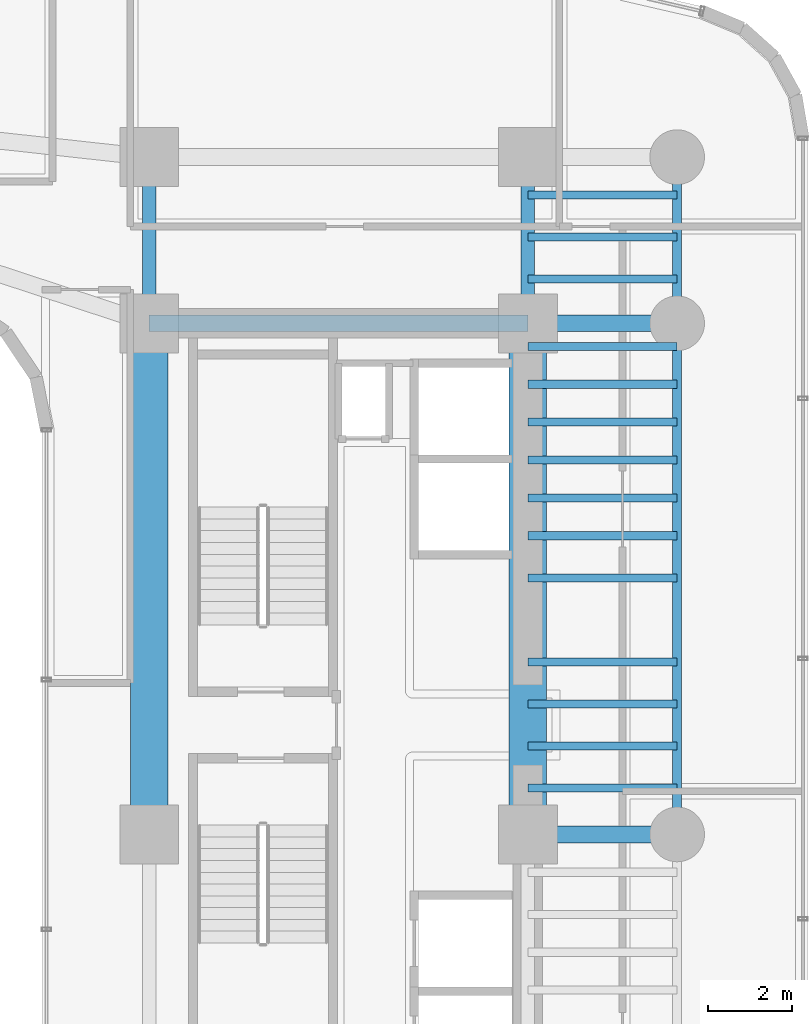
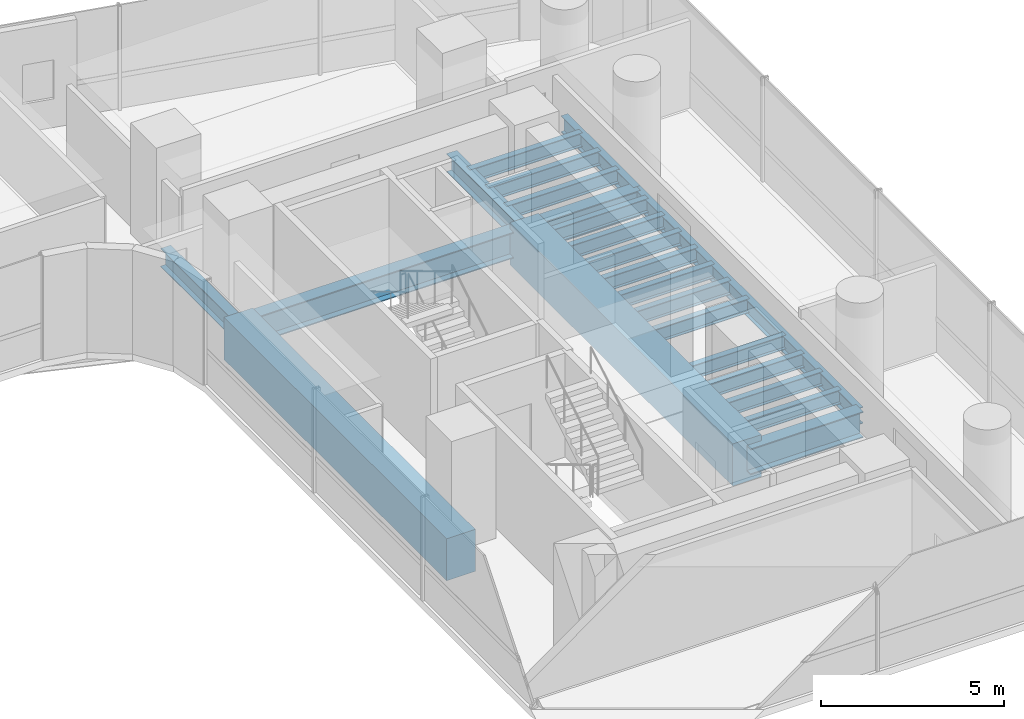
# One storey, part 18 of 40: 23 beams.
"""IFC4 building model written with IfcOpenShell, lengths in metres."""

from ifc_helpers import new_model, si_unit, direction, frame, origin, origin_2d, place, context, subcontext, project, spatial, rectangle, i_section, extrude, source, transform, mapped, material, material_profile, profile_set, type_object, element, save


model = new_model("IFC4")

# Units and contexts
model_context = context("Model", 3, precision=1e-05, world=origin(), true_north=direction((0.0, 1.0)))
body_context = subcontext(model_context, "Body", "Model", "MODEL_VIEW")
ifc_project = project(units=[si_unit("LENGTHUNIT", "METRE"), si_unit("AREAUNIT", "SQUARE_METRE"), si_unit("VOLUMEUNIT", "CUBIC_METRE"), si_unit("PLANEANGLEUNIT", "RADIAN"), si_unit("MASSUNIT", "GRAM", prefix="KILO")], contexts=[model_context])

# Site, building, storey
site_placement = place(None, origin())
site = spatial("IfcSite", under=ifc_project, at=site_placement, CompositionType="ELEMENT")
building_placement = place(site_placement, origin())
building = spatial("IfcBuilding", under=site, at=building_placement, Name="Valdorenza Pilgrim Sanctuary Tower", CompositionType="ELEMENT")
storey_placement = place(building_placement, frame((0.0, 0.0, 48.199951171875)))
storey = spatial("IfcBuildingStorey", under=building, at=storey_placement, Name="L11", CompositionType="ELEMENT", Elevation=48.199951171875)

# Beams
ifc_material_1 = material(Name="Concrete C60/75", Category="concrete")
ifc_material_profile_1 = material_profile(ifc_material_1, rectangle(XDim=0.89990234375, YDim=1.39990234375, at=origin_2d()), Name="RC 1400x900")
ifc_profile_set_1 = profile_set([ifc_material_profile_1], Name="Concrete C60/75")
beam_type_1 = type_object("IfcBeamType", Name="STR-BM-LNT-1400", PredefinedType="LINTEL", material=ifc_profile_set_1)
shared_shape_1 = source(origin(), body_context, "Body", "SweptSolid", [
    extrude(rectangle(XDim=0.89990234375, YDim=1.39990234375, at=origin_2d()), origin(), (0.0, 0.0, 1.0), 12.150146484375),
])
for number, where, z_axis, x_axis, name in (
    (1, (15.85009765625, -2.60009765625, -0.739990234375), (0.0, 1.0, 0.0), (-1.0, 0.0, 0.0), "L11 Core B West Coupling Lintel Girder"),
    (2, (24.85009765625, -2.60009765625, -0.739990234375), (0.0, 1.0, 0.0), (-1.0, 0.0, 0.0), "L11 Core B East Coupling Lintel Girder"),
):
    element("IfcBeam", number, at=place(storey_placement, frame(where, z_axis=z_axis, x_axis=x_axis)), inside=storey, type_object=beam_type_1, Name=name, PredefinedType="LINTEL", context=body_context, shape_type="MappedRepresentation", body=[
        mapped(shared_shape_1, transform((0.0, 0.0, 0.0), x_axis=(1.0, 0.0, 0.0), y_axis=(0.0, 1.0, 0.0), z_axis=(0.0, 0.0, 1.0), scale=1.0)),
    ])
ifc_material_2 = material(Name="Steel ASTM A992 Grade 50", Category="steel")
ifc_material_profile_2 = material_profile(ifc_material_2, i_section(OverallWidth=0.214111328125, OverallDepth=0.549072265625, WebThickness=0.0146484375, FlangeThickness=0.023681640625, at=origin_2d()), Name="W21X93")
ifc_profile_set_2 = profile_set([ifc_material_profile_2], Name="Steel ASTM A992 Grade 50")
beam_type_2 = type_object("IfcBeamType", Name="STR-BM-SPN-W21A", PredefinedType="SPANDREL", material=ifc_profile_set_2)
shared_shape_2 = source(origin(), body_context, "Body", "SweptSolid", [
    extrude(i_section(OverallWidth=0.214111328125, OverallDepth=0.549072265625, WebThickness=0.0146484375, FlangeThickness=0.023681640625, at=origin_2d()), origin(), (0.0, 0.0, 1.0), 12.150146484375),
])
beam_1_placement = place(storey_placement, frame((28.39990234375, -2.60009765625, -0.514404296875), z_axis=(0.0, 1.0, 0.0), x_axis=(-1.0, 0.0, 0.0)))
element("IfcBeam", 3, at=beam_1_placement, inside=storey, type_object=beam_type_2, Name="L11 Spandrel Beam WB-E-M0N1", PredefinedType="SPANDREL", context=body_context, shape_type="MappedRepresentation", body=[
    mapped(shared_shape_2, transform((0.0, 0.0, 0.0), x_axis=(1.0, 0.0, 0.0), y_axis=(0.0, 1.0, 0.0), z_axis=(0.0, 0.0, 1.0), scale=1.0)),
])
ifc_material_profile_3 = material_profile(ifc_material_2, i_section(OverallWidth=0.323974609375, OverallDepth=0.611083984375, WebThickness=0.0126953125, FlangeThickness=0.01904296875, at=origin_2d()), Name="W24X104")
ifc_profile_set_3 = profile_set([ifc_material_profile_3], Name="Steel ASTM A992 Grade 50")
beam_type_3 = type_object("IfcBeamType", Name="STR-BM-GRD-W24B", PredefinedType="BEAM", material=ifc_profile_set_3)
shared_shape_3 = source(origin(), body_context, "Body", "SweptSolid", [
    extrude(i_section(OverallWidth=0.323974609375, OverallDepth=0.611083984375, WebThickness=0.0126953125, FlangeThickness=0.01904296875, at=origin_2d()), origin(), (0.0, 0.0, 1.0), 3.949951171875),
])
for number, where, z_axis, x_axis, name in (
    (4, (15.85009765625, 9.550048828125, -0.54541015625), (0.0, 1.0, 0.0), (-1.0, 0.0, 0.0), "L11 Core Tie Girder CB-W-N1N2"),
    (5, (24.85009765625, 9.550048828125, -0.54541015625), (0.0, 1.0, 0.0), (-1.0, 0.0, 0.0), "L11 Core Tie Girder CB-E-N1N2"),
):
    element("IfcBeam", number, at=place(storey_placement, frame(where, z_axis=z_axis, x_axis=x_axis)), inside=storey, type_object=beam_type_3, Name=name, PredefinedType="BEAM", context=body_context, shape_type="MappedRepresentation", body=[
        mapped(shared_shape_3, transform((0.0, 0.0, 0.0), x_axis=(1.0, 0.0, 0.0), y_axis=(0.0, 1.0, 0.0), z_axis=(0.0, 0.0, 1.0), scale=1.0)),
    ])
shared_shape_4 = source(origin(), body_context, "Body", "SweptSolid", [
    extrude(i_section(OverallWidth=0.214111328125, OverallDepth=0.549072265625, WebThickness=0.0146484375, FlangeThickness=0.023681640625, at=origin_2d()), origin(), (0.0, 0.0, 1.0), 3.949951171875),
])
beam_2_placement = place(storey_placement, frame((28.39990234375, 9.550048828125, -0.514404296875), z_axis=(0.0, 1.0, 0.0), x_axis=(-1.0, 0.0, 0.0)))
element("IfcBeam", 6, at=beam_2_placement, inside=storey, type_object=beam_type_2, Name="L11 Spandrel Beam WB-E-N1N2", PredefinedType="SPANDREL", context=body_context, shape_type="MappedRepresentation", body=[
    mapped(shared_shape_4, transform((0.0, 0.0, 0.0), x_axis=(1.0, 0.0, 0.0), y_axis=(0.0, 1.0, 0.0), z_axis=(0.0, 0.0, 1.0), scale=1.0)),
])
ifc_material_profile_4 = material_profile(ifc_material_2, i_section(OverallWidth=0.193115234375, OverallDepth=0.466064453125, WebThickness=0.011474609375, FlangeThickness=0.01904296875, at=origin_2d()), Name="W18X65")
ifc_profile_set_4 = profile_set([ifc_material_profile_4], Name="Steel ASTM A992 Grade 50")
beam_type_4 = type_object("IfcBeamType", Name="STR-BM-JST-W18A", PredefinedType="JOIST", material=ifc_profile_set_4)
shared_shape_5 = source(origin(), body_context, "Body", "SweptSolid", [
    extrude(i_section(OverallWidth=0.193115234375, OverallDepth=0.466064453125, WebThickness=0.011474609375, FlangeThickness=0.01904296875, at=origin_2d()), origin(), (0.0, 0.0, 1.0), 3.5498046875),
])
for number, where, z_axis, x_axis, name in (
    (7, (24.85009765625, -1.5, -0.472900390625), (1.0, 0.0, 0.0), (0.0, 1.0, 0.0), "L11 Composite Floor Joist JST-WB-8"),
    (8, (24.85009765625, -0.5, -0.472900390625), (1.0, 0.0, 0.0), (0.0, 1.0, 0.0), "L11 Composite Floor Joist JST-WB-9"),
    (9, (24.85009765625, 0.5, -0.472900390625), (1.0, 0.0, 0.0), (0.0, 1.0, 0.0), "L11 Composite Floor Joist JST-WB-10"),
    (10, (24.85009765625, 1.5, -0.472900390625), (1.0, 0.0, 0.0), (0.0, 1.0, 0.0), "L11 Composite Floor Joist JST-WB-11"),
    (11, (24.85009765625, 3.5, -0.472900390625), (1.0, 0.0, 0.0), (0.0, 1.0, 0.0), "L11 Composite Floor Joist JST-WB-12"),
    (12, (24.85009765625, 4.5, -0.472900390625), (1.0, 0.0, 0.0), (0.0, 1.0, 0.0), "L11 Composite Floor Joist JST-WB-13"),
    (13, (24.85009765625, 5.39990234375, -0.472900390625), (1.0, 0.0, 0.0), (0.0, 1.0, 0.0), "L11 Composite Floor Joist JST-WB-14"),
    (14, (24.85009765625, 6.300048828125, -0.472900390625), (1.0, 0.0, 0.0), (0.0, 1.0, 0.0), "L11 Composite Floor Joist JST-WB-15"),
    (15, (24.85009765625, 7.199951171875, -0.472900390625), (1.0, 0.0, 0.0), (0.0, 1.0, 0.0), "L11 Composite Floor Joist JST-WB-16"),
    (16, (24.85009765625, 8.10009765625, -0.472900390625), (1.0, 0.0, 0.0), (0.0, 1.0, 0.0), "L11 Composite Floor Joist JST-WB-17"),
    (17, (24.85009765625, 9.0, -0.472900390625), (1.0, 0.0, 0.0), (0.0, 1.0, 0.0), "L11 Composite Floor Joist JST-WB-18"),
    (18, (24.85009765625, 10.60009765625, -0.472900390625), (1.0, 0.0, 0.0), (0.0, 1.0, 0.0), "L11 Composite Floor Joist JST-WB-19"),
    (19, (24.85009765625, 11.60009765625, -0.472900390625), (1.0, 0.0, 0.0), (0.0, 1.0, 0.0), "L11 Composite Floor Joist JST-WB-20"),
    (20, (24.85009765625, 12.60009765625, -0.472900390625), (1.0, 0.0, 0.0), (0.0, 1.0, 0.0), "L11 Composite Floor Joist JST-WB-21"),
):
    element("IfcBeam", number, at=place(storey_placement, frame(where, z_axis=z_axis, x_axis=x_axis)), inside=storey, type_object=beam_type_4, Name=name, PredefinedType="JOIST", context=body_context, shape_type="MappedRepresentation", body=[
        mapped(shared_shape_5, transform((0.0, 0.0, 0.0), x_axis=(1.0, 0.0, 0.0), y_axis=(0.0, 1.0, 0.0), z_axis=(0.0, 0.0, 1.0), scale=1.0)),
    ])
ifc_material_profile_5 = material_profile(ifc_material_2, i_section(OverallWidth=0.39990234375, OverallDepth=0.862060546875, WebThickness=0.019775390625, FlangeThickness=0.032470703125, at=origin_2d()), Name="W33X221")
ifc_profile_set_5 = profile_set([ifc_material_profile_5], Name="Steel ASTM A992 Grade 50")
beam_type_5 = type_object("IfcBeamType", Name="STR-BM-GRD-W33", PredefinedType="BEAM", material=ifc_profile_set_5)
shared_shape_6 = source(origin(), body_context, "Body", "SweptSolid", [
    extrude(i_section(OverallWidth=0.39990234375, OverallDepth=0.862060546875, WebThickness=0.019775390625, FlangeThickness=0.032470703125, at=origin_2d()), origin(), (0.0, 0.0, 1.0), 9.0),
])
beam_3_placement = place(storey_placement, frame((15.85009765625, 9.550048828125, -0.6708984375), z_axis=(1.0, 0.0, 0.0), x_axis=(0.0, 1.0, 0.0)))
element("IfcBeam", 21, at=beam_3_placement, inside=storey, type_object=beam_type_5, Name="L11 Floor Girder CB-XC-N1", PredefinedType="BEAM", context=body_context, shape_type="MappedRepresentation", body=[
    mapped(shared_shape_6, transform((0.0, 0.0, 0.0), x_axis=(1.0, 0.0, 0.0), y_axis=(0.0, 1.0, 0.0), z_axis=(0.0, 0.0, 1.0), scale=1.0)),
])
shared_shape_7 = source(origin(), body_context, "Body", "SweptSolid", [
    extrude(i_section(OverallWidth=0.39990234375, OverallDepth=0.862060546875, WebThickness=0.019775390625, FlangeThickness=0.032470703125, at=origin_2d()), origin(), (0.0, 0.0, 1.0), 3.5498046875),
])
for number, where, z_axis, x_axis, name in (
    (22, (24.85009765625, -2.60009765625, -0.6708984375), (1.0, 0.0, 0.0), (0.0, 1.0, 0.0), "L11 Floor Girder WB-XE-M0"),
    (23, (24.85009765625, 9.550048828125, -0.6708984375), (1.0, 0.0, 0.0), (0.0, 1.0, 0.0), "L11 Floor Girder WB-XE-N1"),
):
    element("IfcBeam", number, at=place(storey_placement, frame(where, z_axis=z_axis, x_axis=x_axis)), inside=storey, type_object=beam_type_5, Name=name, PredefinedType="BEAM", context=body_context, shape_type="MappedRepresentation", body=[
        mapped(shared_shape_7, transform((0.0, 0.0, 0.0), x_axis=(1.0, 0.0, 0.0), y_axis=(0.0, 1.0, 0.0), z_axis=(0.0, 0.0, 1.0), scale=1.0)),
    ])

save(model, "model.ifc")
